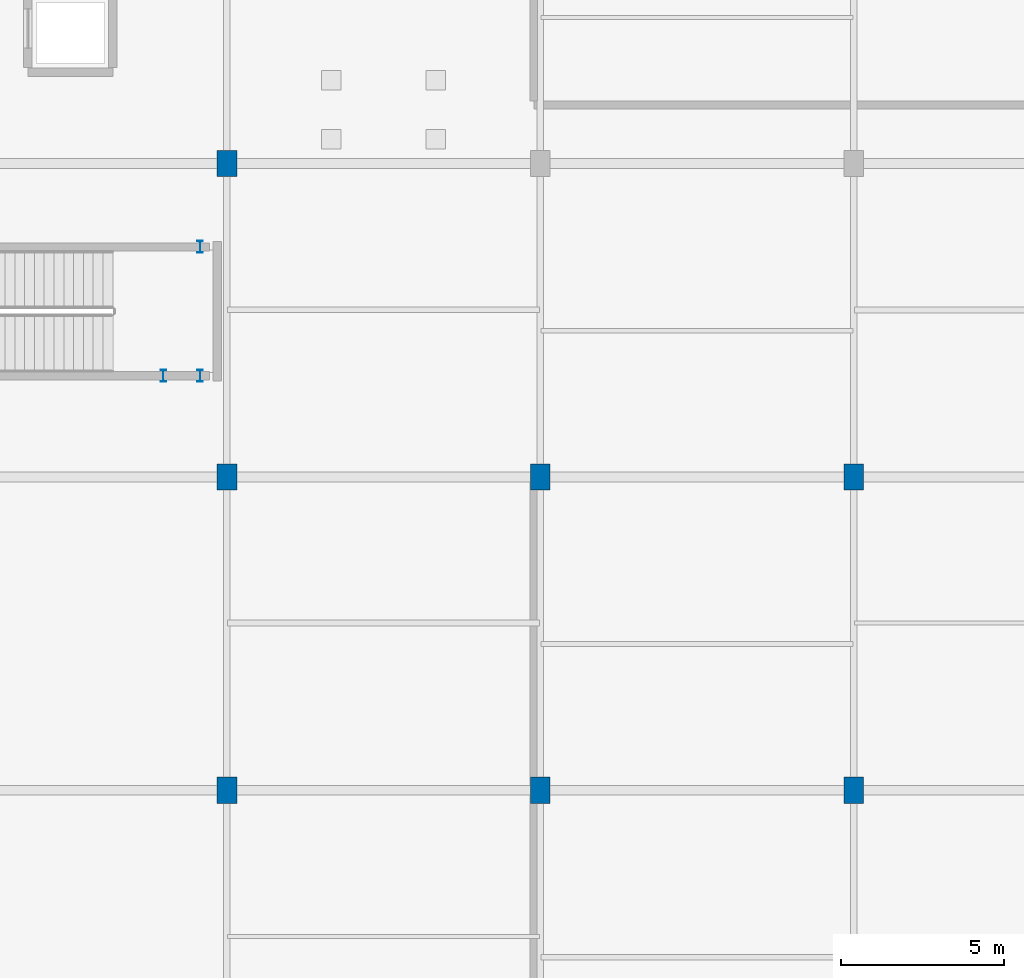
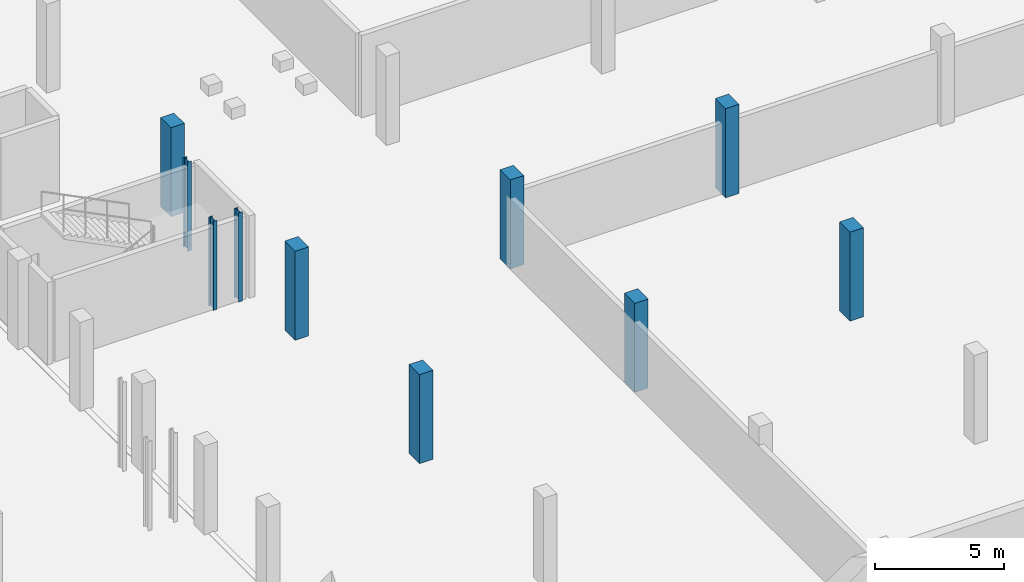
# One storey, part 7 of 47: 10 columns.
"""IFC4 building model written with IfcOpenShell, lengths in metres."""

from ifc_helpers import new_model, si_unit, direction, frame, origin, origin_2d, place, context, subcontext, project, spatial, rectangle, i_section, extrude, material, material_profile, profile_set, type_object, element, save


model = new_model("IFC4")

# Units and contexts
model_context = context("Model", 3, precision=1e-05, world=origin(), true_north=direction((0.0, 1.0)))
body_context = subcontext(model_context, "Body", "Model", "MODEL_VIEW")
ifc_project = project(units=[si_unit("LENGTHUNIT", "METRE"), si_unit("AREAUNIT", "SQUARE_METRE"), si_unit("VOLUMEUNIT", "CUBIC_METRE"), si_unit("PLANEANGLEUNIT", "RADIAN"), si_unit("MASSUNIT", "GRAM", prefix="KILO")], contexts=[model_context])

# Site, building, storey
site_placement = place(None, origin())
site = spatial("IfcSite", under=ifc_project, at=site_placement, CompositionType="ELEMENT")
building_placement = place(site_placement, origin())
building = spatial("IfcBuilding", under=site, at=building_placement, Name="Zevrakil Square Congress Hotel", CompositionType="ELEMENT")
storey_placement = place(building_placement, frame((0.0, 0.0, -4.199951171875)))
storey = spatial("IfcBuildingStorey", under=building, at=storey_placement, Name="B1", CompositionType="ELEMENT", Elevation=-4.199951171875)

# Columns
ifc_material_1 = material(Name="Steel S355", Category="steel")
ifc_material_profile_1 = material_profile(ifc_material_1, i_section(OverallWidth=0.169921875, OverallDepth=0.360107421875, WebThickness=0.008056640625, FlangeThickness=0.0126953125, FilletRadius=0.01806640625, at=origin_2d()), Name="IPE 360")
ifc_profile_set_1 = profile_set([ifc_material_profile_1], Name="Steel S355")
column_type_1 = type_object("IfcColumnType", Name="COL-PILASTER-SHS180", PredefinedType="PILASTER", material=ifc_profile_set_1)
for number, where, z_axis, x_axis, name in (
    (1, (62.85009765625, 39.10009765625, 0.0), (0.0, 0.0, 1.0), (1.0, 0.0, 0.0), "B1 ST04 stair shaft post 1"),
    (2, (63.97998046875, 39.10009765625, 0.0), (0.0, 0.0, 1.0), (1.0, 0.0, 0.0), "B1 ST04 stair shaft post 2"),
    (3, (63.97998046875, 43.050048828125, 0.0), (0.0, 0.0, 1.0), (1.0, 0.0, 0.0), "B1 ST04 stair shaft post 3"),
):
    element("IfcColumn", number, at=place(storey_placement, frame(where, z_axis=z_axis, x_axis=x_axis)), inside=storey, type_object=column_type_1, Name=name, PredefinedType="PILASTER", context=body_context, shape_type="SweptSolid", body=[
        extrude(i_section(OverallWidth=0.169921875, OverallDepth=0.360107421875, WebThickness=0.008056640625, FlangeThickness=0.0126953125, FilletRadius=0.01806640625, at=origin_2d()), origin(), (0.0, 0.0, 1.0), 4.199951171875),
    ])
ifc_material_2 = material(Name="Concrete C40/50", Category="concrete")
ifc_material_profile_2 = material_profile(ifc_material_2, rectangle(XDim=0.60009765625, YDim=0.800048828125, at=origin_2d()), Name="RC 600x800")
ifc_profile_set_2 = profile_set([ifc_material_profile_2], Name="Concrete C40/50")
column_type_2 = type_object("IfcColumnType", Name="COL-RC600x800", PredefinedType="COLUMN", material=ifc_profile_set_2)
for number, where, z_axis, x_axis, name in (
    (4, (64.800048828125, 26.39990234375, 0.0), (0.0, 0.0, 1.0), (1.0, 0.0, 0.0), "B1 column C-102"),
    (5, (64.800048828125, 36.0, 0.0), (0.0, 0.0, 1.0), (1.0, 0.0, 0.0), "B1 column C-103"),
    (6, (64.800048828125, 45.60009765625, 0.0), (0.0, 0.0, 1.0), (1.0, 0.0, 0.0), "B1 column C-104"),
    (7, (74.39990234375, 26.39990234375, 0.0), (0.0, 0.0, 1.0), (1.0, 0.0, 0.0), "B1 column C-116"),
    (8, (74.39990234375, 36.0, 0.0), (0.0, 0.0, 1.0), (1.0, 0.0, 0.0), "B1 column C-117"),
    (9, (84.0, 26.39990234375, 0.0), (0.0, 0.0, 1.0), (1.0, 0.0, 0.0), "B1 column C-128"),
    (10, (84.0, 36.0, 0.0), (0.0, 0.0, 1.0), (1.0, 0.0, 0.0), "B1 column C-129"),
):
    element("IfcColumn", number, at=place(storey_placement, frame(where, z_axis=z_axis, x_axis=x_axis)), inside=storey, type_object=column_type_2, Name=name, PredefinedType="COLUMN", context=body_context, shape_type="SweptSolid", body=[
        extrude(rectangle(XDim=0.60009765625, YDim=0.800048828125, at=origin_2d()), origin(), (0.0, 0.0, 1.0), 4.199951171875),
    ])

save(model, "model.ifc")
